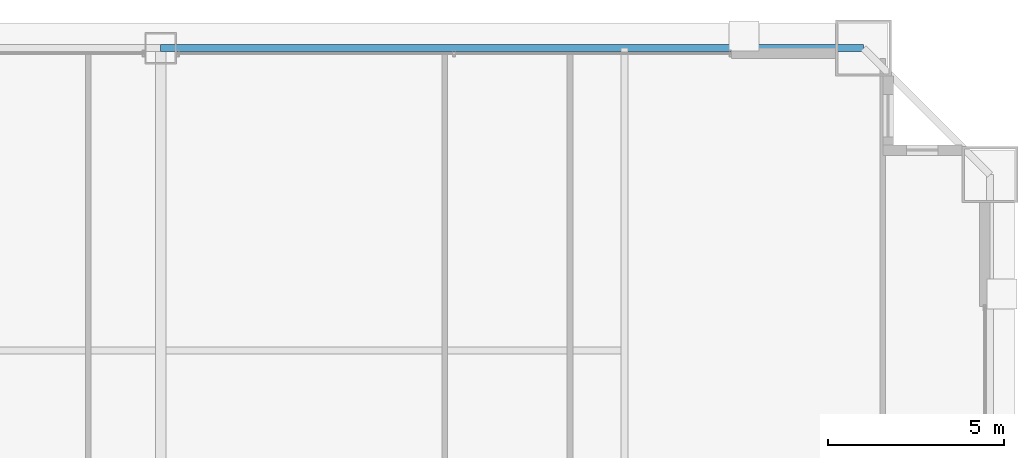
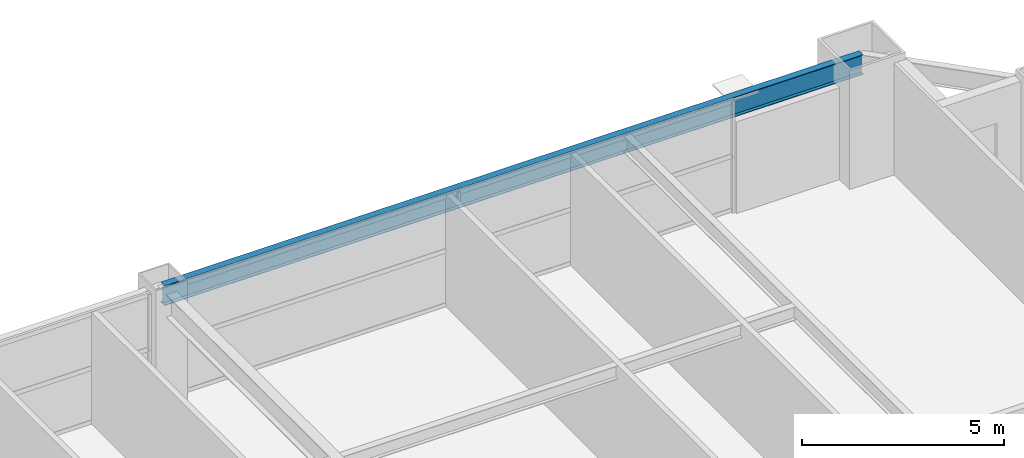
# One storey, part 31 of 38: 1 beam.
"""IFC4 building model written with IfcOpenShell, lengths in metres."""

import ifcopenshell
import ifcopenshell.guid

model = None  # the IFC model being written
_history = None  # IfcOwnerHistory: only IFC2X3 demands one
_inside = {}  # id of a spatial element -> (the spatial element, [elements in it])
_under = {}  # id of a project, library or spatial element -> (it, [spatial elements below it])
_declared = {}  # id of a project -> (the project, [libraries it declares])
_typed = {}  # id of a type object -> (the type object, [elements of that type])
_made_of = {}  # id of a material, layer set ... -> (it, [elements and type objects made of it])


def new_model(schema):
    """Start an empty IFC model of exactly this schema.

    Asked for "IFC4X3", IfcOpenShell would pick the latest addendum, in which some entities
    have other attributes; the version numbers below select the first issue.
    IFC2X3 requires an IfcOwnerHistory on every rooted entity: one is made here for all.
    """
    global model, _history
    if schema == "IFC4X3":
        model = ifcopenshell.file(schema_version=(4, 3, 0, 0))
    else:
        model = ifcopenshell.file(schema=schema)
    _inside.clear()
    _under.clear()
    _declared.clear()
    _typed.clear()
    _made_of.clear()
    _history = None
    if model.schema == "IFC2X3":
        org = make("IfcOrganization", Name="unknown")
        user = make(
            "IfcPersonAndOrganization",
            ThePerson=make("IfcPerson", FamilyName="unknown"),
            TheOrganization=org,
        )
        app = make(
            "IfcApplication",
            ApplicationDeveloper=org,
            Version="unknown",
            ApplicationFullName="unknown",
            ApplicationIdentifier="unknown",
        )
        _history = make(
            "IfcOwnerHistory",
            OwningUser=user,
            OwningApplication=app,
            ChangeAction="ADDED",
            CreationDate=0,
        )
    return model


def make(cls, **values):
    """One entity of the class cls with the attributes given. An attribute that is None is left unset."""
    return model.create_entity(
        cls, **{name: value for name, value in values.items() if value is not None}
    )


def rooted(cls, **values):
    """An entity with a GlobalId (a new one), such as an element, a storey or a relation."""
    return make(cls, GlobalId=ifcopenshell.guid.new(), OwnerHistory=_history, **values)


def si_unit(unit_type, name, prefix=None):
    """IfcSIUnit, for example si_unit("LENGTHUNIT", "METRE", prefix="MILLI")."""
    return make("IfcSIUnit", UnitType=unit_type, Prefix=prefix, Name=name)


def assignment(units):
    """IfcUnitAssignment: the units of a project."""
    return None if units is None else make("IfcUnitAssignment", Units=units)


def point(xyz):
    """IfcCartesianPoint."""
    return None if xyz is None else make("IfcCartesianPoint", Coordinates=xyz)


def direction(xyz):
    """IfcDirection."""
    return None if xyz is None else make("IfcDirection", DirectionRatios=xyz)


def frame(location, z_axis=None, x_axis=None):
    """IfcAxis2Placement3D, a coordinate frame: its origin and axes. An axis left out is left unset."""
    return make(
        "IfcAxis2Placement3D",
        Location=point(location),
        Axis=direction(z_axis),
        RefDirection=direction(x_axis),
    )


def frame_2d(location, x_axis=None):
    """IfcAxis2Placement2D, a coordinate frame in the plane: its origin and x axis."""
    return make(
        "IfcAxis2Placement2D", Location=point(location), RefDirection=direction(x_axis)
    )


def origin():
    """The frame at (0, 0, 0) with its axes left unset."""
    return frame((0.0, 0.0, 0.0))


def origin_2d():
    """The frame at (0, 0) in the plane with its x axis left unset."""
    return frame_2d((0.0, 0.0))


def place(relative_to, where):
    """IfcLocalPlacement: puts the frame where relative to a parent placement (None: the world)."""
    return make(
        "IfcLocalPlacement", PlacementRelTo=relative_to, RelativePlacement=where
    )


def context(
    kind, dimensions, precision=None, world=None, true_north=None, identifier=None
):
    """IfcGeometricRepresentationContext, for example the 3D "Model" context."""
    return make(
        "IfcGeometricRepresentationContext",
        ContextIdentifier=identifier,
        ContextType=kind,
        CoordinateSpaceDimension=dimensions,
        Precision=precision,
        WorldCoordinateSystem=world,
        TrueNorth=true_north,
    )


def subcontext(parent, identifier, kind, view, scale=None):
    """IfcGeometricRepresentationSubContext, for example "Body" below "Model"."""
    return make(
        "IfcGeometricRepresentationSubContext",
        ContextIdentifier=identifier,
        ContextType=kind,
        ParentContext=parent,
        TargetScale=scale,
        TargetView=view,
    )


def project(units=None, contexts=None):
    """IfcProject with its units and contexts."""
    return rooted(
        "IfcProject",
        Name="project",
        RepresentationContexts=contexts,
        UnitsInContext=assignment(units),
    )


def spatial(cls, under=None, at=None, **own):
    """A site, building, storey or space (cls), placed at a placement, below another one or the project."""
    s = rooted(cls, ObjectPlacement=at, **own)
    if under is not None:
        _under.setdefault(under.id(), (under, []))[1].append(s)
    return s


def profile(cls, at=None, kind="AREA", **sizes):
    """A parametric profile (cls). Its sizes go by their IFC names, for example OverallWidth=200.0."""
    return make(cls, ProfileType=kind, Position=at, **sizes)


def i_section(**sizes):
    """IfcIShapeProfileDef."""
    return profile("IfcIShapeProfileDef", **sizes)


def extrude(swept, where, along, depth):
    """IfcExtrudedAreaSolid: the profile swept, set in the frame where, extruded along a direction by depth."""
    return make(
        "IfcExtrudedAreaSolid",
        SweptArea=swept,
        Position=where,
        ExtrudedDirection=direction(along),
        Depth=depth,
    )


def shape(context_of_items, identifier, shape_type, items):
    """IfcShapeRepresentation: the items that make up one representation, for example the "Body"."""
    return make(
        "IfcShapeRepresentation",
        ContextOfItems=context_of_items,
        RepresentationIdentifier=identifier,
        RepresentationType=shape_type,
        Items=items,
    )


def source(mapping_origin, context_of_items, identifier, shape_type, items):
    """IfcRepresentationMap: a shape defined once, which mapped items show again and again."""
    return make(
        "IfcRepresentationMap",
        MappingOrigin=mapping_origin,
        MappedRepresentation=shape(context_of_items, identifier, shape_type, items),
    )


def transform(
    local_origin,
    x_axis=None,
    y_axis=None,
    z_axis=None,
    scale=None,
    scale2=None,
    scale3=None,
    uniform=True,
):
    """IfcCartesianTransformationOperator3D, or its non-uniform kind. x_axis, y_axis, z_axis: its Axis1, 2, 3."""
    if uniform:
        return make(
            "IfcCartesianTransformationOperator3D",
            Axis1=direction(x_axis),
            Axis2=direction(y_axis),
            LocalOrigin=point(local_origin),
            Scale=scale,
            Axis3=direction(z_axis),
        )
    return make(
        "IfcCartesianTransformationOperator3DnonUniform",
        Axis1=direction(x_axis),
        Axis2=direction(y_axis),
        LocalOrigin=point(local_origin),
        Scale=scale,
        Axis3=direction(z_axis),
        Scale2=scale2,
        Scale3=scale3,
    )


def mapped(mapping_source, mapping_target):
    """IfcMappedItem: shows the shape of a source again, moved by a transform."""
    return make(
        "IfcMappedItem", MappingSource=mapping_source, MappingTarget=mapping_target
    )


def material(Name=None, Category=None):
    """IfcMaterial."""
    return make("IfcMaterial", Name=Name, Category=Category)


def material_profile(
    of_material, cross_section, Name=None, Category=None, Priority=None
):
    """IfcMaterialProfile: a cross section and its material."""
    return make(
        "IfcMaterialProfile",
        Name=Name,
        Material=of_material,
        Profile=cross_section,
        Priority=Priority,
        Category=Category,
    )


def profile_set(profiles, Name=None, composite=None):
    """IfcMaterialProfileSet."""
    return make(
        "IfcMaterialProfileSet",
        Name=Name,
        MaterialProfiles=profiles,
        CompositeProfile=composite,
    )


def made_of(thing, what):
    """Note that an element or type object is made of a material, layer set ...; save() writes the relation."""
    if what is not None:
        _made_of.setdefault(what.id(), (what, []))[1].append(thing)
    return thing


def type_object(cls, material=None, **own):
    """A type object (cls), such as IfcWallType, which elements share."""
    return made_of(rooted(cls, **own), material)


def element(
    cls,
    number,
    at=None,
    inside=None,
    cuts=None,
    type_object=None,
    material=None,
    context=None,
    identifier="Body",
    shape_type=None,
    held_by="IfcProductDefinitionShape",
    body=None,
    shapes=None,
    **own,
):
    """One element of the class cls, such as IfcWall. Its Tag is "e" and its number.

    at: its placement. inside: the storey or other place that contains it. cuts: it is an
    opening in that element (IfcRelVoidsElement). A single representation is given by context,
    identifier, shape_type and body (its items); several are given by shapes. held_by: the class
    of the entity that holds the representations. save() writes the other relations.
    """
    e = rooted(cls, Tag="e%d" % number, ObjectPlacement=at, **own)
    if body is not None:
        shapes = [shape(context, identifier, shape_type, body)]
    if shapes is not None:
        e.Representation = make(held_by, Representations=shapes)
    if inside is not None:
        _inside.setdefault(inside.id(), (inside, []))[1].append(e)
    if cuts is not None:
        rooted(
            "IfcRelVoidsElement", RelatingBuildingElement=cuts, RelatedOpeningElement=e
        )
    if type_object is not None:
        _typed.setdefault(type_object.id(), (type_object, []))[1].append(e)
    return made_of(e, material)


def aggregate(whole, parts):
    """IfcRelAggregates: a whole, such as a stair, and the parts it consists of."""
    return rooted("IfcRelAggregates", RelatingObject=whole, RelatedObjects=parts)


def save(model, path):
    """Write the relations noted so far, then the file.

    IfcRelAggregates (storeys below a building ...), IfcRelContainedInSpatialStructure (elements
    in a storey), IfcRelDefinesByType, IfcRelAssociatesMaterial and IfcRelDeclares: one each for
    every whole, place, type object, material and project.
    """
    for whole, parts in _under.values():
        aggregate(whole, parts)
    for where, things in _inside.values():
        rooted(
            "IfcRelContainedInSpatialStructure",
            RelatedElements=things,
            RelatingStructure=where,
        )
    for kind, things in _typed.values():
        rooted("IfcRelDefinesByType", RelatedObjects=things, RelatingType=kind)
    for what, things in _made_of.values():
        rooted("IfcRelAssociatesMaterial", RelatedObjects=things, RelatingMaterial=what)
    for by, libraries in _declared.values():
        rooted("IfcRelDeclares", RelatingContext=by, RelatedDefinitions=libraries)
    model.write(path)


model = new_model("IFC4")

# Units and contexts
model_context = context("Model", 3, precision=1e-05, world=origin(), true_north=direction((0.0, 1.0)))
body_context = subcontext(model_context, "Body", "Model", "MODEL_VIEW")
ifc_project = project(units=[si_unit("LENGTHUNIT", "METRE"), si_unit("AREAUNIT", "SQUARE_METRE"), si_unit("VOLUMEUNIT", "CUBIC_METRE"), si_unit("PLANEANGLEUNIT", "RADIAN"), si_unit("MASSUNIT", "GRAM", prefix="KILO"), si_unit("THERMODYNAMICTEMPERATUREUNIT", "KELVIN"), si_unit("POWERUNIT", "WATT")], contexts=[model_context])

# Site, building, storey
site_placement = place(None, origin())
site = spatial("IfcSite", under=ifc_project, at=site_placement, CompositionType="ELEMENT")
building_placement = place(site_placement, origin())
building = spatial("IfcBuilding", under=site, at=building_placement, Name="Yuzanri Waterfront Tower", CompositionType="ELEMENT")
storey_placement = place(building_placement, frame((0.0, 0.0, 111.800048828125)))
storey = spatial("IfcBuildingStorey", under=building, at=storey_placement, Name="L29", CompositionType="ELEMENT", Elevation=111.800048828125)

# Beam
ifc_material = material(Name="Steel Q355B", Category="steel")
ifc_material_profile = material_profile(ifc_material, i_section(OverallWidth=0.199951171875, OverallDepth=0.60009765625, WebThickness=0.010986328125, FlangeThickness=0.01708984375, at=origin_2d()), Name="HN 600x200x11x17")
ifc_profile_set = profile_set([ifc_material_profile], Name="Steel Q355B")
beam_type = type_object("IfcBeamType", Name="Perimeter Spandrel Q355B HN 600x200", PredefinedType="SPANDREL", material=ifc_profile_set)
shared_shape = source(origin(), body_context, "Body", "SweptSolid", [
    extrude(i_section(OverallWidth=0.199951171875, OverallDepth=0.60009765625, WebThickness=0.010986328125, FlangeThickness=0.01708984375, at=origin_2d()), origin(), (0.0, 0.0, 1.0), 20.0),
])
beam_placement = place(storey_placement, frame((57.0, 49.39990234375, 3.079833984375), z_axis=(-1.0, 0.0, 0.0), x_axis=(0.0, -1.0, 0.0)))
element("IfcBeam", 1, at=beam_placement, inside=storey, type_object=beam_type, Name="L29 Perimeter Spandrel N3-N2", PredefinedType="SPANDREL", context=body_context, shape_type="MappedRepresentation", body=[
    mapped(shared_shape, transform((0.0, 0.0, 0.0), scale=1.0)),
])

save(model, "model.ifc")
